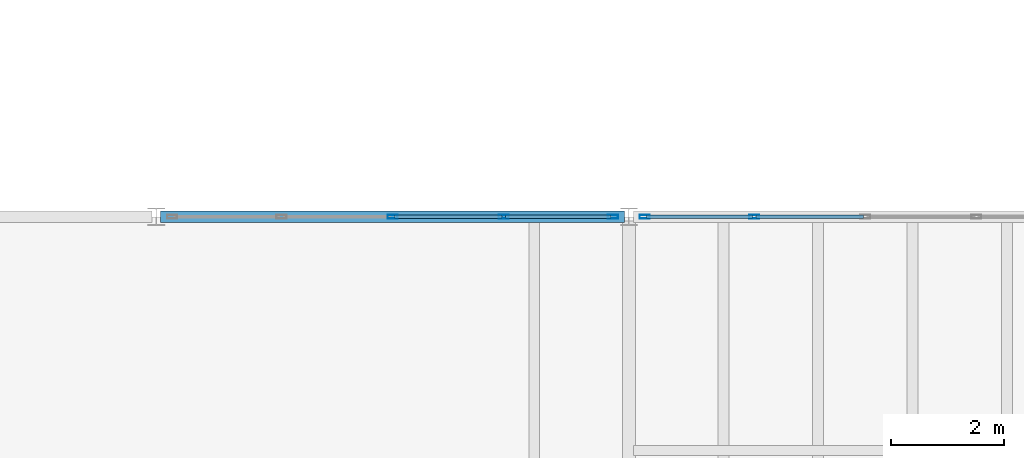
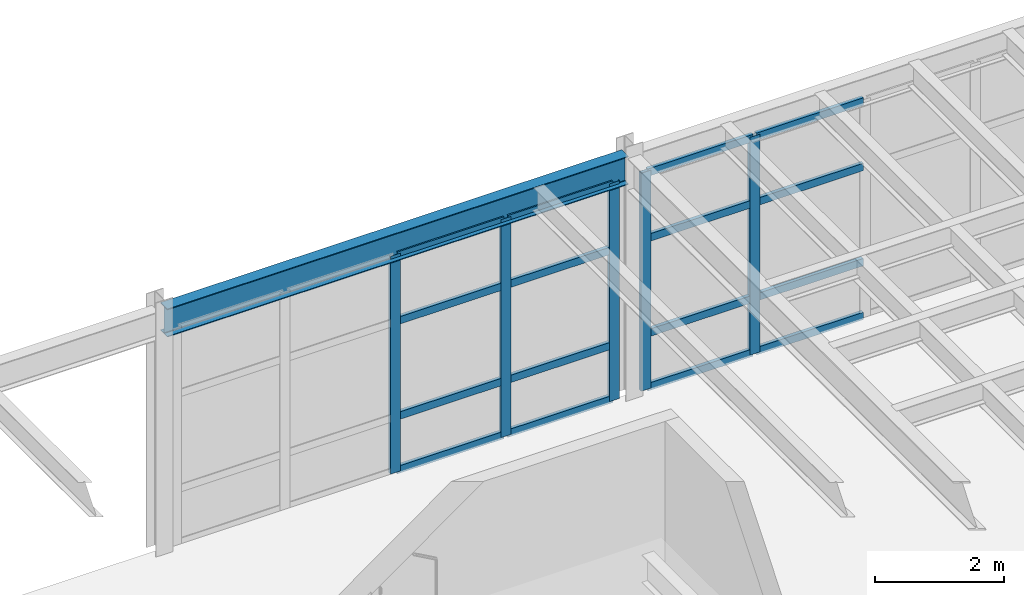
# One storey, part 54 of 116: 21 members, 1 beam, 2 elements without a shape of their own.
"""IFC4 building model written with IfcOpenShell, lengths in metres."""

from ifc_helpers import new_model, si_unit, direction, frame, origin, origin_2d, place, context, subcontext, project, spatial, hollow_rectangle, i_section, extrude, material, layer, layer_set, material_profile, profile_set, type_object, element, aggregate, save


model = new_model("IFC4")

# Units and contexts
model_context = context("Model", 3, precision=1e-05, world=origin(), true_north=direction((0.0, 1.0)))
body_context = subcontext(model_context, "Body", "Model", "MODEL_VIEW")
ifc_project = project(units=[si_unit("LENGTHUNIT", "METRE"), si_unit("AREAUNIT", "SQUARE_METRE"), si_unit("VOLUMEUNIT", "CUBIC_METRE"), si_unit("PLANEANGLEUNIT", "RADIAN"), si_unit("MASSUNIT", "GRAM", prefix="KILO")], contexts=[model_context])

# Site, building, storey
site_placement = place(None, origin())
site = spatial("IfcSite", under=ifc_project, at=site_placement, CompositionType="ELEMENT")
building_placement = place(site_placement, origin())
building = spatial("IfcBuilding", under=site, at=building_placement, Name="Selat Folded Stagehouse", CompositionType="ELEMENT")
storey_placement = place(building_placement, frame((0.0, 0.0, 5.39990234375)))
storey = spatial("IfcBuildingStorey", under=building, at=storey_placement, Name="L01", CompositionType="ELEMENT", Elevation=5.39990234375)

# Beam
ifc_material_1 = material(Name="Steel S355", Category="steel")
ifc_material_profile_1 = material_profile(ifc_material_1, i_section(OverallWidth=0.209228515625, OverallDepth=0.533203125, WebThickness=0.010009765625, FlangeThickness=0.015625, FilletRadius=0.0126953125, at=origin_2d()), Name="UKB 533x210x92")
ifc_profile_set_1 = profile_set([ifc_material_profile_1], Name="Steel S355")
beam_type = type_object("IfcBeamType", Name="BM-GIRD-533x210x92", PredefinedType="BEAM", material=ifc_profile_set_1)
beam_placement = place(storey_placement, frame((100.876953125, 17.800048828125, 4.3134765625), z_axis=(1.0, 0.0, 0.0), x_axis=(0.0, 1.0, 0.0)))
element("IfcBeam", 1, at=beam_placement, inside=storey, type_object=beam_type, Name="L01 primary x-girder 0774", PredefinedType="BEAM", context=body_context, shape_type="SweptSolid", body=[
    extrude(i_section(OverallWidth=0.209228515625, OverallDepth=0.533203125, WebThickness=0.010009765625, FlangeThickness=0.015625, FilletRadius=0.0126953125, at=origin_2d()), origin(), (0.0, 0.0, 1.0), 8.24609375),
])

# Curtain wall, members
ifc_material_2 = material(Name="Aluminium 6063-T6", Category="aluminium")
ifc_layer = layer(ifc_material_2, 0.195068359375)
ifc_layer_set = layer_set([ifc_layer], Name="Aluminium 6063-T6")
curtain_wall_type = type_object("IfcCurtainWallType", Name="CW-FYR-COURT", PredefinedType="NOTDEFINED", material=ifc_layer_set)
curtain_wall_1_placement = place(storey_placement, origin())
curtain_wall_1 = element("IfcCurtainWall", 2, at=curtain_wall_1_placement, inside=storey, type_object=curtain_wall_type, Name="L01 curtain wall CW-FYR-L01-12", PredefinedType="NOTDEFINED")
ifc_material_profile_2 = material_profile(ifc_material_2, hollow_rectangle(XDim=0.06494140625, YDim=0.179931640625, WallThickness=0.00390625, at=origin_2d()), Name="ALU 180x65x4.0")
ifc_profile_set_2 = profile_set([ifc_material_profile_2], Name="Aluminium 6063-T6")
member_type_1 = type_object("IfcMemberType", Name="CWM-MUL-180x65", PredefinedType="MULLION", material=ifc_profile_set_2)
member_1_placement = place(storey_placement, frame((105.0, 17.800048828125, 0.0), z_axis=(0.0, 0.0, 1.0), x_axis=(0.0, 1.0, 0.0)))
member_1 = element("IfcMember", 3, at=member_1_placement, type_object=member_type_1, Name="CW-05 mullion 3", PredefinedType="MULLION", context=body_context, shape_type="SweptSolid", body=[
    extrude(hollow_rectangle(XDim=0.06494140625, YDim=0.179931640625, WallThickness=0.00390625, at=origin_2d()), origin(), (0.0, 0.0, 1.0), 4.1201171875),
])
member_2_placement = place(storey_placement, frame((106.97509765625, 17.800048828125, 0.0), z_axis=(0.0, 0.0, 1.0), x_axis=(0.0, 1.0, 0.0)))
member_2 = element("IfcMember", 4, at=member_2_placement, type_object=member_type_1, Name="CW-05 mullion 4", PredefinedType="MULLION", context=body_context, shape_type="SweptSolid", body=[
    extrude(hollow_rectangle(XDim=0.06494140625, YDim=0.179931640625, WallThickness=0.00390625, at=origin_2d()), origin(), (0.0, 0.0, 1.0), 4.1201171875),
])
member_3_placement = place(storey_placement, frame((108.91748046875, 17.800048828125, 0.0), z_axis=(0.0, 0.0, 1.0), x_axis=(0.0, 1.0, 0.0)))
member_3 = element("IfcMember", 5, at=member_3_placement, type_object=member_type_1, Name="CW-05 mullion 5", PredefinedType="MULLION", context=body_context, shape_type="SweptSolid", body=[
    extrude(hollow_rectangle(XDim=0.06494140625, YDim=0.179931640625, WallThickness=0.00390625, at=origin_2d()), origin(), (0.0, 0.0, 1.0), 4.1201171875),
])

curtain_wall_2_placement = place(storey_placement, origin())
curtain_wall_2 = element("IfcCurtainWall", 6, at=curtain_wall_2_placement, inside=storey, type_object=curtain_wall_type, Name="L01 curtain wall CW-FYR-L01-13", PredefinedType="NOTDEFINED")
member_4_placement = place(storey_placement, frame((109.482421875, 17.800048828125, 0.0), z_axis=(0.0, 0.0, 1.0), x_axis=(0.0, 1.0, 0.0)))
member_4 = element("IfcMember", 7, at=member_4_placement, type_object=member_type_1, Name="CW-05 mullion 1", PredefinedType="MULLION", context=body_context, shape_type="SweptSolid", body=[
    extrude(hollow_rectangle(XDim=0.06494140625, YDim=0.179931640625, WallThickness=0.00390625, at=origin_2d()), origin(), (0.0, 0.0, 1.0), 4.1201171875),
])
member_5_placement = place(storey_placement, frame((111.425048828125, 17.800048828125, 0.0), z_axis=(0.0, 0.0, 1.0), x_axis=(0.0, 1.0, 0.0)))
member_5 = element("IfcMember", 8, at=member_5_placement, type_object=member_type_1, Name="CW-05 mullion 2", PredefinedType="MULLION", context=body_context, shape_type="SweptSolid", body=[
    extrude(hollow_rectangle(XDim=0.06494140625, YDim=0.179931640625, WallThickness=0.00390625, at=origin_2d()), origin(), (0.0, 0.0, 1.0), 4.1201171875),
])

# Member
ifc_material_profile_3 = material_profile(ifc_material_2, hollow_rectangle(XDim=0.06494140625, YDim=0.139892578125, WallThickness=0.00390625, at=origin_2d()), Name="ALU 140x65x4.0")
ifc_profile_set_3 = profile_set([ifc_material_profile_3], Name="Aluminium 6063-T6")
member_type_2 = type_object("IfcMemberType", Name="CWM-TRN-140x65", PredefinedType="USERDEFINED", material=ifc_profile_set_3)
member_6_placement = place(storey_placement, frame((105.032470703125, 17.800048828125, 0.03271484375), z_axis=(1.0, 0.0, 0.0), x_axis=(0.0, 1.0, 0.0)))
member_6 = element("IfcMember", 9, at=member_6_placement, type_object=member_type_2, Name="CW-05 transom 3.1", ObjectType="TRANSOM", PredefinedType="USERDEFINED", context=body_context, shape_type="SweptSolid", body=[
    extrude(hollow_rectangle(XDim=0.06494140625, YDim=0.139892578125, WallThickness=0.00390625, at=origin_2d()), origin(), (0.0, 0.0, 1.0), 1.909912109375),
])

member_7_placement = place(storey_placement, frame((105.032470703125, 17.800048828125, 1.050048828125), z_axis=(1.0, 0.0, 0.0), x_axis=(0.0, 1.0, 0.0)))
member_7 = element("IfcMember", 10, at=member_7_placement, type_object=member_type_2, Name="CW-05 transom 3.2", ObjectType="TRANSOM", PredefinedType="USERDEFINED", context=body_context, shape_type="SweptSolid", body=[
    extrude(hollow_rectangle(XDim=0.06494140625, YDim=0.139892578125, WallThickness=0.00390625, at=origin_2d()), origin(), (0.0, 0.0, 1.0), 1.909912109375),
])

member_8_placement = place(storey_placement, frame((105.032470703125, 17.800048828125, 2.85009765625), z_axis=(1.0, 0.0, 0.0), x_axis=(0.0, 1.0, 0.0)))
member_8 = element("IfcMember", 11, at=member_8_placement, type_object=member_type_2, Name="CW-05 transom 3.3", ObjectType="TRANSOM", PredefinedType="USERDEFINED", context=body_context, shape_type="SweptSolid", body=[
    extrude(hollow_rectangle(XDim=0.06494140625, YDim=0.139892578125, WallThickness=0.00390625, at=origin_2d()), origin(), (0.0, 0.0, 1.0), 1.909912109375),
])

member_9_placement = place(storey_placement, frame((105.032470703125, 17.800048828125, 4.087646484375), z_axis=(1.0, 0.0, 0.0), x_axis=(0.0, 1.0, 0.0)))
member_9 = element("IfcMember", 12, at=member_9_placement, type_object=member_type_2, Name="CW-05 transom 3.4", ObjectType="TRANSOM", PredefinedType="USERDEFINED", context=body_context, shape_type="SweptSolid", body=[
    extrude(hollow_rectangle(XDim=0.06494140625, YDim=0.139892578125, WallThickness=0.00390625, at=origin_2d()), origin(), (0.0, 0.0, 1.0), 1.909912109375),
])

member_10_placement = place(storey_placement, frame((107.007568359375, 17.800048828125, 0.03271484375), z_axis=(1.0, 0.0, 0.0), x_axis=(0.0, 1.0, 0.0)))
member_10 = element("IfcMember", 13, at=member_10_placement, type_object=member_type_2, Name="CW-05 transom 4.1", ObjectType="TRANSOM", PredefinedType="USERDEFINED", context=body_context, shape_type="SweptSolid", body=[
    extrude(hollow_rectangle(XDim=0.06494140625, YDim=0.139892578125, WallThickness=0.00390625, at=origin_2d()), origin(), (0.0, 0.0, 1.0), 1.87744140625),
])

member_11_placement = place(storey_placement, frame((107.007568359375, 17.800048828125, 1.050048828125), z_axis=(1.0, 0.0, 0.0), x_axis=(0.0, 1.0, 0.0)))
member_11 = element("IfcMember", 14, at=member_11_placement, type_object=member_type_2, Name="CW-05 transom 4.2", ObjectType="TRANSOM", PredefinedType="USERDEFINED", context=body_context, shape_type="SweptSolid", body=[
    extrude(hollow_rectangle(XDim=0.06494140625, YDim=0.139892578125, WallThickness=0.00390625, at=origin_2d()), origin(), (0.0, 0.0, 1.0), 1.87744140625),
])

member_12_placement = place(storey_placement, frame((107.007568359375, 17.800048828125, 2.85009765625), z_axis=(1.0, 0.0, 0.0), x_axis=(0.0, 1.0, 0.0)))
member_12 = element("IfcMember", 15, at=member_12_placement, type_object=member_type_2, Name="CW-05 transom 4.3", ObjectType="TRANSOM", PredefinedType="USERDEFINED", context=body_context, shape_type="SweptSolid", body=[
    extrude(hollow_rectangle(XDim=0.06494140625, YDim=0.139892578125, WallThickness=0.00390625, at=origin_2d()), origin(), (0.0, 0.0, 1.0), 1.87744140625),
])

member_13_placement = place(storey_placement, frame((107.007568359375, 17.800048828125, 4.087646484375), z_axis=(1.0, 0.0, 0.0), x_axis=(0.0, 1.0, 0.0)))
member_13 = element("IfcMember", 16, at=member_13_placement, type_object=member_type_2, Name="CW-05 transom 4.4", ObjectType="TRANSOM", PredefinedType="USERDEFINED", context=body_context, shape_type="SweptSolid", body=[
    extrude(hollow_rectangle(XDim=0.06494140625, YDim=0.139892578125, WallThickness=0.00390625, at=origin_2d()), origin(), (0.0, 0.0, 1.0), 1.87744140625),
])

aggregate(curtain_wall_1, [member_1, member_2, member_3, member_6, member_7, member_8, member_9, member_10, member_11, member_12, member_13])

member_14_placement = place(storey_placement, frame((109.514892578125, 17.800048828125, 0.03271484375), z_axis=(1.0, 0.0, 0.0), x_axis=(0.0, 1.0, 0.0)))
member_14 = element("IfcMember", 17, at=member_14_placement, type_object=member_type_2, Name="CW-05 transom 1.1", ObjectType="TRANSOM", PredefinedType="USERDEFINED", context=body_context, shape_type="SweptSolid", body=[
    extrude(hollow_rectangle(XDim=0.06494140625, YDim=0.139892578125, WallThickness=0.00390625, at=origin_2d()), origin(), (0.0, 0.0, 1.0), 1.877685546875),
])

member_15_placement = place(storey_placement, frame((109.514892578125, 17.800048828125, 1.050048828125), z_axis=(1.0, 0.0, 0.0), x_axis=(0.0, 1.0, 0.0)))
member_15 = element("IfcMember", 18, at=member_15_placement, type_object=member_type_2, Name="CW-05 transom 1.2", ObjectType="TRANSOM", PredefinedType="USERDEFINED", context=body_context, shape_type="SweptSolid", body=[
    extrude(hollow_rectangle(XDim=0.06494140625, YDim=0.139892578125, WallThickness=0.00390625, at=origin_2d()), origin(), (0.0, 0.0, 1.0), 1.877685546875),
])

member_16_placement = place(storey_placement, frame((109.514892578125, 17.800048828125, 2.85009765625), z_axis=(1.0, 0.0, 0.0), x_axis=(0.0, 1.0, 0.0)))
member_16 = element("IfcMember", 19, at=member_16_placement, type_object=member_type_2, Name="CW-05 transom 1.3", ObjectType="TRANSOM", PredefinedType="USERDEFINED", context=body_context, shape_type="SweptSolid", body=[
    extrude(hollow_rectangle(XDim=0.06494140625, YDim=0.139892578125, WallThickness=0.00390625, at=origin_2d()), origin(), (0.0, 0.0, 1.0), 1.877685546875),
])

member_17_placement = place(storey_placement, frame((109.514892578125, 17.800048828125, 4.087646484375), z_axis=(1.0, 0.0, 0.0), x_axis=(0.0, 1.0, 0.0)))
member_17 = element("IfcMember", 20, at=member_17_placement, type_object=member_type_2, Name="CW-05 transom 1.4", ObjectType="TRANSOM", PredefinedType="USERDEFINED", context=body_context, shape_type="SweptSolid", body=[
    extrude(hollow_rectangle(XDim=0.06494140625, YDim=0.139892578125, WallThickness=0.00390625, at=origin_2d()), origin(), (0.0, 0.0, 1.0), 1.877685546875),
])

member_18_placement = place(storey_placement, frame((111.45751953125, 17.800048828125, 0.03271484375), z_axis=(1.0, 0.0, 0.0), x_axis=(0.0, 1.0, 0.0)))
member_18 = element("IfcMember", 21, at=member_18_placement, type_object=member_type_2, Name="CW-05 transom 2.1", ObjectType="TRANSOM", PredefinedType="USERDEFINED", context=body_context, shape_type="SweptSolid", body=[
    extrude(hollow_rectangle(XDim=0.06494140625, YDim=0.139892578125, WallThickness=0.00390625, at=origin_2d()), origin(), (0.0, 0.0, 1.0), 1.909912109375),
])

member_19_placement = place(storey_placement, frame((111.45751953125, 17.800048828125, 1.050048828125), z_axis=(1.0, 0.0, 0.0), x_axis=(0.0, 1.0, 0.0)))
member_19 = element("IfcMember", 22, at=member_19_placement, type_object=member_type_2, Name="CW-05 transom 2.2", ObjectType="TRANSOM", PredefinedType="USERDEFINED", context=body_context, shape_type="SweptSolid", body=[
    extrude(hollow_rectangle(XDim=0.06494140625, YDim=0.139892578125, WallThickness=0.00390625, at=origin_2d()), origin(), (0.0, 0.0, 1.0), 1.909912109375),
])

member_20_placement = place(storey_placement, frame((111.45751953125, 17.800048828125, 2.85009765625), z_axis=(1.0, 0.0, 0.0), x_axis=(0.0, 1.0, 0.0)))
member_20 = element("IfcMember", 23, at=member_20_placement, type_object=member_type_2, Name="CW-05 transom 2.3", ObjectType="TRANSOM", PredefinedType="USERDEFINED", context=body_context, shape_type="SweptSolid", body=[
    extrude(hollow_rectangle(XDim=0.06494140625, YDim=0.139892578125, WallThickness=0.00390625, at=origin_2d()), origin(), (0.0, 0.0, 1.0), 1.909912109375),
])

member_21_placement = place(storey_placement, frame((111.45751953125, 17.800048828125, 4.087646484375), z_axis=(1.0, 0.0, 0.0), x_axis=(0.0, 1.0, 0.0)))
member_21 = element("IfcMember", 24, at=member_21_placement, type_object=member_type_2, Name="CW-05 transom 2.4", ObjectType="TRANSOM", PredefinedType="USERDEFINED", context=body_context, shape_type="SweptSolid", body=[
    extrude(hollow_rectangle(XDim=0.06494140625, YDim=0.139892578125, WallThickness=0.00390625, at=origin_2d()), origin(), (0.0, 0.0, 1.0), 1.909912109375),
])

aggregate(curtain_wall_2, [member_4, member_5, member_14, member_15, member_16, member_17, member_18, member_19, member_20, member_21])

save(model, "model.ifc")
